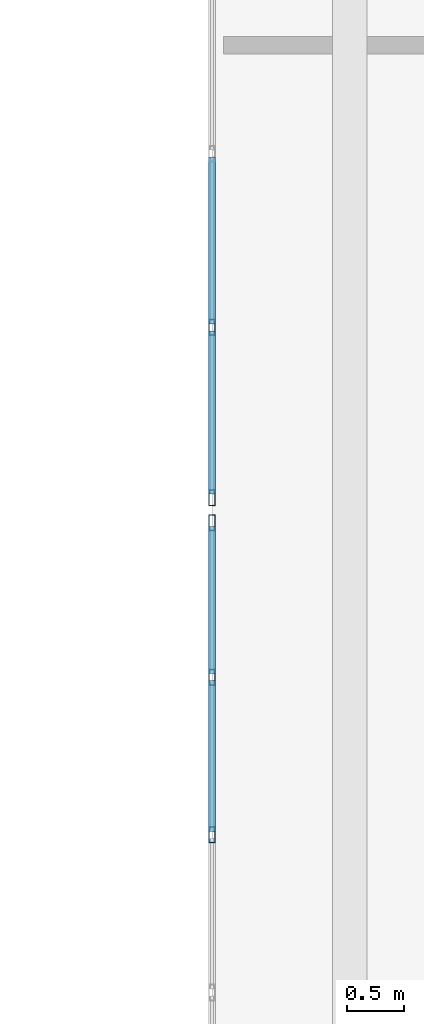
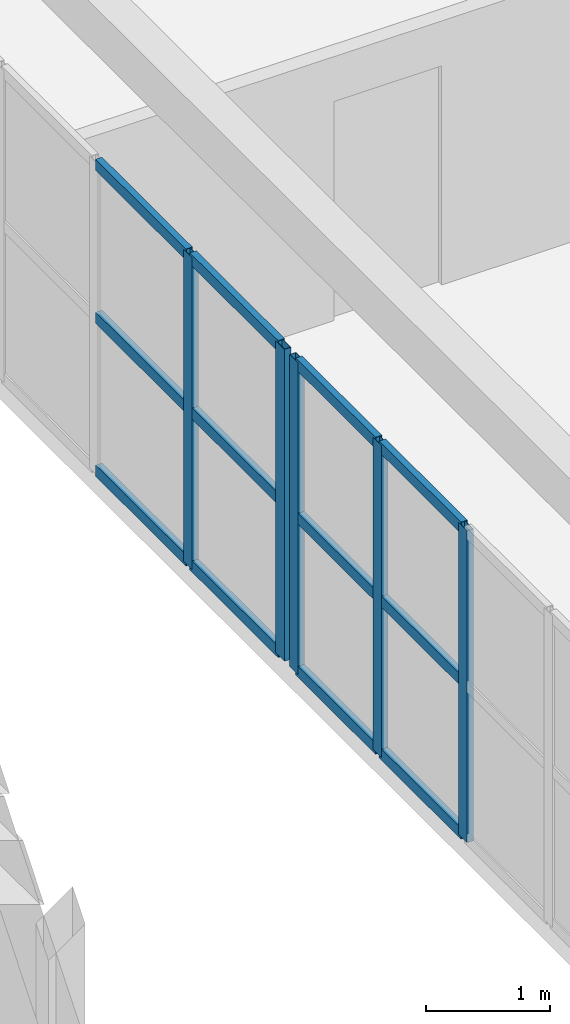
# One storey, part 39 of 200: 17 members, 2 elements without a shape of their own.
"""IFC4 building model written with IfcOpenShell, lengths in metres."""

from ifc_helpers import new_model, si_unit, direction, frame, origin, origin_2d, place, context, subcontext, project, spatial, hollow_rectangle, extrude, material, layer, layer_set, material_profile, profile_set, type_object, element, aggregate, save


model = new_model("IFC4")

# Units and contexts
model_context = context("Model", 3, precision=1e-05, world=origin(), true_north=direction((0.0, 1.0)))
body_context = subcontext(model_context, "Body", "Model", "MODEL_VIEW")
ifc_project = project(units=[si_unit("LENGTHUNIT", "METRE"), si_unit("AREAUNIT", "SQUARE_METRE"), si_unit("VOLUMEUNIT", "CUBIC_METRE"), si_unit("PLANEANGLEUNIT", "RADIAN"), si_unit("MASSUNIT", "GRAM", prefix="KILO")], contexts=[model_context])

# Site, building, storey
site_placement = place(None, origin())
site = spatial("IfcSite", under=ifc_project, at=site_placement, CompositionType="ELEMENT")
building_placement = place(site_placement, origin())
building = spatial("IfcBuilding", under=site, at=building_placement, Name="Trelvath General Hospital", CompositionType="ELEMENT")
storey_placement = place(building_placement, frame((0.0, 0.0, 4.800048828125)))
storey = spatial("IfcBuildingStorey", under=building, at=storey_placement, Name="L01", CompositionType="ELEMENT", Elevation=4.800048828125)

# Curtain wall, members
ifc_material_1 = material(Name="Anodised aluminium and low-E glass", Category="aluminium")
ifc_layer_1 = layer(ifc_material_1, 0.14990234375)
ifc_layer_set_1 = layer_set([ifc_layer_1], Name="Anodised aluminium and low-E glass")
curtain_wall_type_1 = type_object("IfcCurtainWallType", Name="CW CrystalCube 824 306 15", PredefinedType="USERDEFINED", material=ifc_layer_set_1)
curtain_wall_1_placement = place(storey_placement, origin())
curtain_wall_1 = element("IfcCurtainWall", 1, at=curtain_wall_1_placement, inside=storey, type_object=curtain_wall_type_1, Name="Crystal Cube Curtain Wall CUBE-W-T0 W3 L01", ObjectType="Unitised Glazed Curtain Wall", PredefinedType="USERDEFINED")
ifc_material_2 = material(Name="Anodised aluminium", Category="aluminium")
ifc_material_profile_1 = material_profile(ifc_material_2, hollow_rectangle(XDim=0.06005859375, YDim=0.139892578125, WallThickness=0.00390625, at=origin_2d()), Name="RHS60x140x4")
ifc_profile_set_1 = profile_set([ifc_material_profile_1], Name="Anodised aluminium")
member_type_1 = type_object("IfcMemberType", Name="CurtainMullion 60x140", PredefinedType="MULLION", material=ifc_profile_set_1)
member_1_placement = place(storey_placement, frame((46.800048828125, 47.5732421875, 0.0), z_axis=(0.0, 0.0, 1.0), x_axis=(-1.0, 0.0, 0.0)))
member_1 = element("IfcMember", 2, at=member_1_placement, type_object=member_type_1, Name="CW-142 mullion 5", PredefinedType="MULLION", context=body_context, shape_type="SweptSolid", body=[
    extrude(hollow_rectangle(XDim=0.06005859375, YDim=0.139892578125, WallThickness=0.00390625, at=origin_2d()), origin(), (0.0, 0.0, 1.0), 3.06005859375),
])
member_2_placement = place(storey_placement, frame((46.800048828125, 48.94677734375, 0.0), z_axis=(0.0, 0.0, 1.0), x_axis=(-1.0, 0.0, 0.0)))
member_2 = element("IfcMember", 3, at=member_2_placement, type_object=member_type_1, Name="CW-142 mullion 6", PredefinedType="MULLION", context=body_context, shape_type="SweptSolid", body=[
    extrude(hollow_rectangle(XDim=0.06005859375, YDim=0.139892578125, WallThickness=0.00390625, at=origin_2d()), origin(), (0.0, 0.0, 1.0), 3.06005859375),
])
member_3_placement = place(storey_placement, frame((46.800048828125, 50.2900390625, 0.0), z_axis=(0.0, 0.0, 1.0), x_axis=(-1.0, 0.0, 0.0)))
member_3 = element("IfcMember", 4, at=member_3_placement, type_object=member_type_1, Name="CW-142 mullion 7", PredefinedType="MULLION", context=body_context, shape_type="SweptSolid", body=[
    extrude(hollow_rectangle(XDim=0.06005859375, YDim=0.139892578125, WallThickness=0.00390625, at=origin_2d()), origin(), (0.0, 0.0, 1.0), 3.06005859375),
])

ifc_material_3 = material(Name="Anodised aluminium and low-E glass", Category="aluminium")
ifc_layer_2 = layer(ifc_material_3, 0.14990234375)
ifc_layer_set_2 = layer_set([ifc_layer_2], Name="Anodised aluminium and low-E glass")
curtain_wall_type_2 = type_object("IfcCurtainWallType", Name="CW CrystalCube 1664 306 15", PredefinedType="USERDEFINED", material=ifc_layer_set_2)
curtain_wall_2_placement = place(storey_placement, origin())
curtain_wall_2 = element("IfcCurtainWall", 5, at=curtain_wall_2_placement, inside=storey, type_object=curtain_wall_type_2, Name="Crystal Cube Curtain Wall CUBE-W-T0 W4 L01", ObjectType="Unitised Glazed Curtain Wall", PredefinedType="USERDEFINED")
member_4_placement = place(storey_placement, frame((46.800048828125, 50.510009765625, 0.0), z_axis=(0.0, 0.0, 1.0), x_axis=(-1.0, 0.0, 0.0)))
member_4 = element("IfcMember", 6, at=member_4_placement, type_object=member_type_1, Name="CW-143 mullion 1", PredefinedType="MULLION", context=body_context, shape_type="SweptSolid", body=[
    extrude(hollow_rectangle(XDim=0.06005859375, YDim=0.139892578125, WallThickness=0.00390625, at=origin_2d()), origin(), (0.0, 0.0, 1.0), 3.06005859375),
])
member_5_placement = place(storey_placement, frame((46.800048828125, 51.99267578125, 0.0), z_axis=(0.0, 0.0, 1.0), x_axis=(-1.0, 0.0, 0.0)))
member_5 = element("IfcMember", 7, at=member_5_placement, type_object=member_type_1, Name="CW-143 mullion 2", PredefinedType="MULLION", context=body_context, shape_type="SweptSolid", body=[
    extrude(hollow_rectangle(XDim=0.06005859375, YDim=0.139892578125, WallThickness=0.00390625, at=origin_2d()), origin(), (0.0, 0.0, 1.0), 3.06005859375),
])

# Member
ifc_material_4 = material(Name="Anodised aluminium", Category="aluminium")
ifc_material_profile_2 = material_profile(ifc_material_4, hollow_rectangle(XDim=0.06005859375, YDim=0.110107421875, WallThickness=0.00390625, at=origin_2d()), Name="RHS60x110x4")
ifc_profile_set_2 = profile_set([ifc_material_profile_2], Name="Anodised aluminium")
member_type_2 = type_object("IfcMemberType", Name="CurtainTransom 60x110", PredefinedType="USERDEFINED", material=ifc_profile_set_2)
member_6_placement = place(storey_placement, frame((46.800048828125, 47.603271484375, 0.030029296875), z_axis=(0.0, 1.0, 0.0), x_axis=(-1.0, 0.0, 0.0)))
member_6 = element("IfcMember", 8, at=member_6_placement, type_object=member_type_2, Name="CW-142 transom 5.1", ObjectType="TRANSOM", PredefinedType="USERDEFINED", context=body_context, shape_type="SweptSolid", body=[
    extrude(hollow_rectangle(XDim=0.06005859375, YDim=0.110107421875, WallThickness=0.00390625, at=origin_2d()), origin(), (0.0, 0.0, 1.0), 1.3134765625),
])

member_7_placement = place(storey_placement, frame((46.800048828125, 47.603271484375, 1.530029296875), z_axis=(0.0, 1.0, 0.0), x_axis=(-1.0, 0.0, 0.0)))
member_7 = element("IfcMember", 9, at=member_7_placement, type_object=member_type_2, Name="CW-142 transom 5.2", ObjectType="TRANSOM", PredefinedType="USERDEFINED", context=body_context, shape_type="SweptSolid", body=[
    extrude(hollow_rectangle(XDim=0.06005859375, YDim=0.110107421875, WallThickness=0.00390625, at=origin_2d()), origin(), (0.0, 0.0, 1.0), 1.3134765625),
])

member_8_placement = place(storey_placement, frame((46.800048828125, 47.603271484375, 3.030029296875), z_axis=(0.0, 1.0, 0.0), x_axis=(-1.0, 0.0, 0.0)))
member_8 = element("IfcMember", 10, at=member_8_placement, type_object=member_type_2, Name="CW-142 transom 5.3", ObjectType="TRANSOM", PredefinedType="USERDEFINED", context=body_context, shape_type="SweptSolid", body=[
    extrude(hollow_rectangle(XDim=0.06005859375, YDim=0.110107421875, WallThickness=0.00390625, at=origin_2d()), origin(), (0.0, 0.0, 1.0), 1.3134765625),
])

member_9_placement = place(storey_placement, frame((46.800048828125, 48.9765625, 0.030029296875), z_axis=(0.0, 1.0, 0.0), x_axis=(-1.0, 0.0, 0.0)))
member_9 = element("IfcMember", 11, at=member_9_placement, type_object=member_type_2, Name="CW-142 transom 6.1", ObjectType="TRANSOM", PredefinedType="USERDEFINED", context=body_context, shape_type="SweptSolid", body=[
    extrude(hollow_rectangle(XDim=0.06005859375, YDim=0.110107421875, WallThickness=0.00390625, at=origin_2d()), origin(), (0.0, 0.0, 1.0), 1.283447265625),
])

member_10_placement = place(storey_placement, frame((46.800048828125, 48.9765625, 1.530029296875), z_axis=(0.0, 1.0, 0.0), x_axis=(-1.0, 0.0, 0.0)))
member_10 = element("IfcMember", 12, at=member_10_placement, type_object=member_type_2, Name="CW-142 transom 6.2", ObjectType="TRANSOM", PredefinedType="USERDEFINED", context=body_context, shape_type="SweptSolid", body=[
    extrude(hollow_rectangle(XDim=0.06005859375, YDim=0.110107421875, WallThickness=0.00390625, at=origin_2d()), origin(), (0.0, 0.0, 1.0), 1.283447265625),
])

member_11_placement = place(storey_placement, frame((46.800048828125, 48.9765625, 3.030029296875), z_axis=(0.0, 1.0, 0.0), x_axis=(-1.0, 0.0, 0.0)))
member_11 = element("IfcMember", 13, at=member_11_placement, type_object=member_type_2, Name="CW-142 transom 6.3", ObjectType="TRANSOM", PredefinedType="USERDEFINED", context=body_context, shape_type="SweptSolid", body=[
    extrude(hollow_rectangle(XDim=0.06005859375, YDim=0.110107421875, WallThickness=0.00390625, at=origin_2d()), origin(), (0.0, 0.0, 1.0), 1.283447265625),
])

aggregate(curtain_wall_1, [member_1, member_2, member_3, member_6, member_7, member_8, member_9, member_10, member_11])

member_12_placement = place(storey_placement, frame((46.800048828125, 50.5400390625, 0.030029296875), z_axis=(0.0, 1.0, 0.0), x_axis=(-1.0, 0.0, 0.0)))
member_12 = element("IfcMember", 14, at=member_12_placement, type_object=member_type_2, Name="CW-143 transom 1.1", ObjectType="TRANSOM", PredefinedType="USERDEFINED", context=body_context, shape_type="SweptSolid", body=[
    extrude(hollow_rectangle(XDim=0.06005859375, YDim=0.110107421875, WallThickness=0.00390625, at=origin_2d()), origin(), (0.0, 0.0, 1.0), 1.422607421875),
])

member_13_placement = place(storey_placement, frame((46.800048828125, 50.5400390625, 1.530029296875), z_axis=(0.0, 1.0, 0.0), x_axis=(-1.0, 0.0, 0.0)))
member_13 = element("IfcMember", 15, at=member_13_placement, type_object=member_type_2, Name="CW-143 transom 1.2", ObjectType="TRANSOM", PredefinedType="USERDEFINED", context=body_context, shape_type="SweptSolid", body=[
    extrude(hollow_rectangle(XDim=0.06005859375, YDim=0.110107421875, WallThickness=0.00390625, at=origin_2d()), origin(), (0.0, 0.0, 1.0), 1.422607421875),
])

member_14_placement = place(storey_placement, frame((46.800048828125, 50.5400390625, 3.030029296875), z_axis=(0.0, 1.0, 0.0), x_axis=(-1.0, 0.0, 0.0)))
member_14 = element("IfcMember", 16, at=member_14_placement, type_object=member_type_2, Name="CW-143 transom 1.3", ObjectType="TRANSOM", PredefinedType="USERDEFINED", context=body_context, shape_type="SweptSolid", body=[
    extrude(hollow_rectangle(XDim=0.06005859375, YDim=0.110107421875, WallThickness=0.00390625, at=origin_2d()), origin(), (0.0, 0.0, 1.0), 1.422607421875),
])

member_15_placement = place(storey_placement, frame((46.800048828125, 52.022705078125, 0.030029296875), z_axis=(0.0, 1.0, 0.0), x_axis=(-1.0, 0.0, 0.0)))
member_15 = element("IfcMember", 17, at=member_15_placement, type_object=member_type_2, Name="CW-143 transom 2.1", ObjectType="TRANSOM", PredefinedType="USERDEFINED", context=body_context, shape_type="SweptSolid", body=[
    extrude(hollow_rectangle(XDim=0.06005859375, YDim=0.110107421875, WallThickness=0.00390625, at=origin_2d()), origin(), (0.0, 0.0, 1.0), 1.45263671875),
])

member_16_placement = place(storey_placement, frame((46.800048828125, 52.022705078125, 1.530029296875), z_axis=(0.0, 1.0, 0.0), x_axis=(-1.0, 0.0, 0.0)))
member_16 = element("IfcMember", 18, at=member_16_placement, type_object=member_type_2, Name="CW-143 transom 2.2", ObjectType="TRANSOM", PredefinedType="USERDEFINED", context=body_context, shape_type="SweptSolid", body=[
    extrude(hollow_rectangle(XDim=0.06005859375, YDim=0.110107421875, WallThickness=0.00390625, at=origin_2d()), origin(), (0.0, 0.0, 1.0), 1.45263671875),
])

member_17_placement = place(storey_placement, frame((46.800048828125, 52.022705078125, 3.030029296875), z_axis=(0.0, 1.0, 0.0), x_axis=(-1.0, 0.0, 0.0)))
member_17 = element("IfcMember", 19, at=member_17_placement, type_object=member_type_2, Name="CW-143 transom 2.3", ObjectType="TRANSOM", PredefinedType="USERDEFINED", context=body_context, shape_type="SweptSolid", body=[
    extrude(hollow_rectangle(XDim=0.06005859375, YDim=0.110107421875, WallThickness=0.00390625, at=origin_2d()), origin(), (0.0, 0.0, 1.0), 1.45263671875),
])

aggregate(curtain_wall_2, [member_4, member_5, member_12, member_13, member_14, member_15, member_16, member_17])

save(model, "model.ifc")
